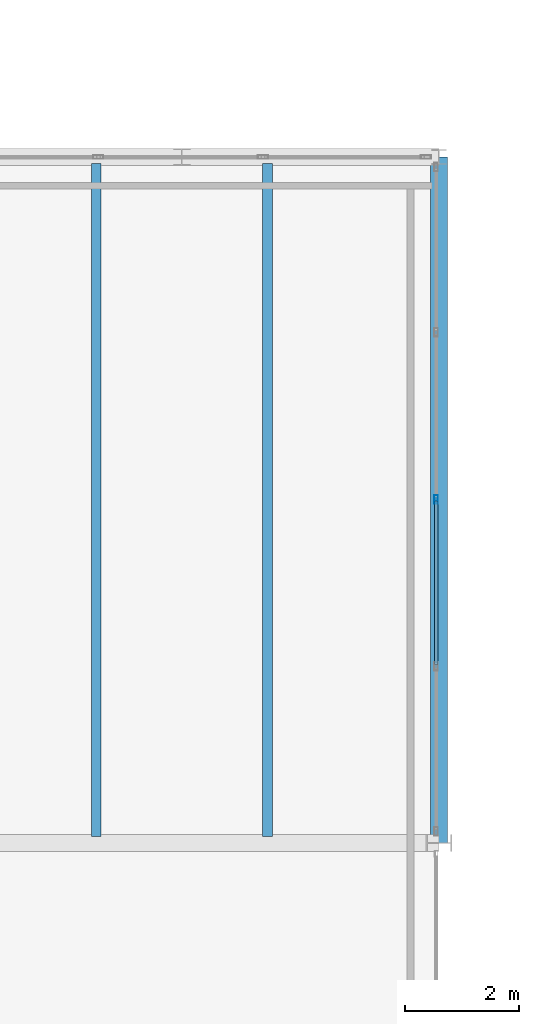
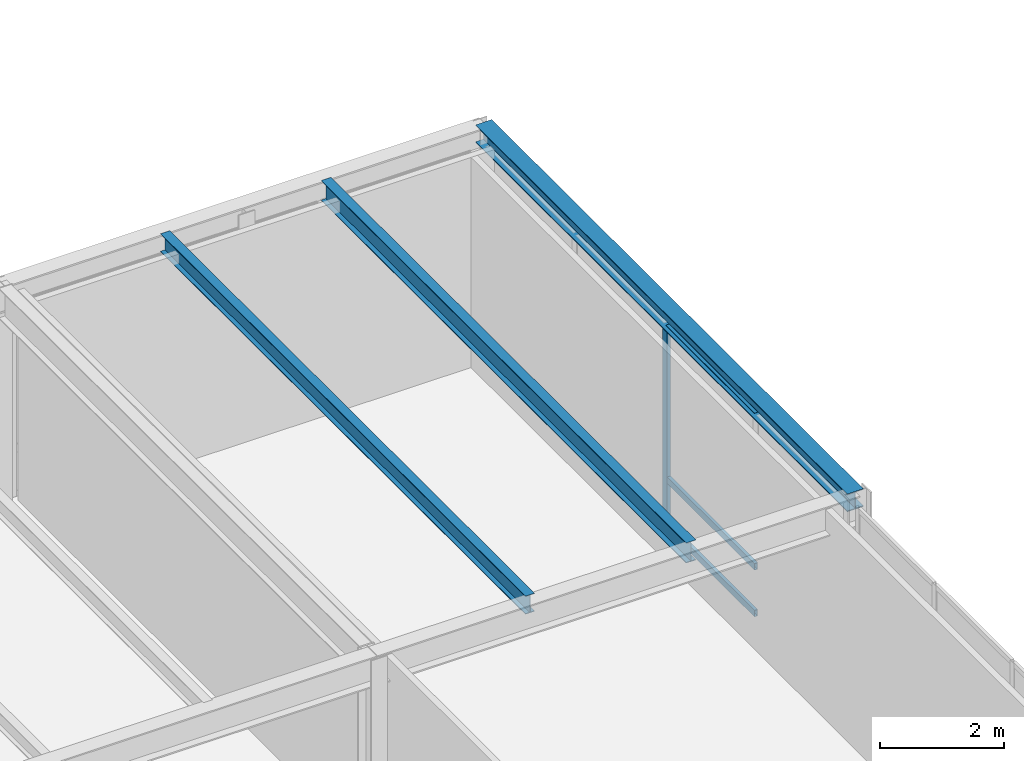
# One storey, part 71 of 115: 4 members, 3 beams, 1 element without a shape of its own.
"""IFC4 building model written with IfcOpenShell, lengths in metres."""

from ifc_helpers import new_model, si_unit, direction, frame, origin, origin_2d, place, context, subcontext, project, spatial, hollow_rectangle, i_section, extrude, material, layer, layer_set, material_profile, profile_set, type_object, element, aggregate, save


model = new_model("IFC4")

# Units and contexts
model_context = context("Model", 3, precision=1e-05, world=origin(), true_north=direction((0.0, 1.0)))
body_context = subcontext(model_context, "Body", "Model", "MODEL_VIEW")
ifc_project = project(units=[si_unit("LENGTHUNIT", "METRE"), si_unit("AREAUNIT", "SQUARE_METRE"), si_unit("VOLUMEUNIT", "CUBIC_METRE"), si_unit("PLANEANGLEUNIT", "RADIAN"), si_unit("MASSUNIT", "GRAM", prefix="KILO")], contexts=[model_context])

# Site, building, storey
site_placement = place(None, origin())
site = spatial("IfcSite", under=ifc_project, at=site_placement, CompositionType="ELEMENT")
building_placement = place(site_placement, origin())
building = spatial("IfcBuilding", under=site, at=building_placement, Name="Montelvaro Courts of Justice", CompositionType="ELEMENT")
storey_placement = place(building_placement, frame((0.0, 0.0, 9.89990234375)))
storey = spatial("IfcBuildingStorey", under=building, at=storey_placement, Name="L02", CompositionType="ELEMENT", Elevation=9.89990234375)

# Beams
ifc_material_1 = material(Name="Steel S355", Category="steel")
ifc_material_profile_1 = material_profile(ifc_material_1, i_section(OverallWidth=0.300048828125, OverallDepth=0.35009765625, WebThickness=0.010009765625, FlangeThickness=0.017578125, at=origin_2d()), Name="HEA 360")
ifc_profile_set_1 = profile_set([ifc_material_profile_1], Name="Steel S355")
beam_type_1 = type_object("IfcBeamType", Name="Beam_HEA360", PredefinedType="USERDEFINED", material=ifc_profile_set_1)
beam_1_placement = place(storey_placement, frame((81.0, 96.0, 4.125), z_axis=(0.0, 1.0, 0.0), x_axis=(-1.0, 0.0, 0.0)))
element("IfcBeam", 1, at=beam_1_placement, inside=storey, type_object=beam_type_1, Name="Beam B-16 L02", ObjectType="GIRDER", PredefinedType="USERDEFINED", context=body_context, shape_type="SweptSolid", body=[
    extrude(i_section(OverallWidth=0.300048828125, OverallDepth=0.35009765625, WebThickness=0.010009765625, FlangeThickness=0.017578125, at=origin_2d()), origin(), (0.0, 0.0, 1.0), 12.0),
])
ifc_material_profile_2 = material_profile(ifc_material_1, i_section(OverallWidth=0.169921875, OverallDepth=0.360107421875, WebThickness=0.008056640625, FlangeThickness=0.0126953125, at=origin_2d()), Name="IPE 360")
ifc_profile_set_2 = profile_set([ifc_material_profile_2], Name="Steel S355")
beam_type_2 = type_object("IfcBeamType", Name="Beam_IPE360", PredefinedType="BEAM", material=ifc_profile_set_2)
beam_2_placement = place(storey_placement, frame((75.0, 96.110107421875, 4.1201171875), z_axis=(0.0, 1.0, 0.0), x_axis=(-1.0, 0.0, 0.0)))
element("IfcBeam", 2, at=beam_2_placement, inside=storey, type_object=beam_type_2, Name="Beam B-07 L02", PredefinedType="BEAM", context=body_context, shape_type="SweptSolid", body=[
    extrude(i_section(OverallWidth=0.169921875, OverallDepth=0.360107421875, WebThickness=0.008056640625, FlangeThickness=0.0126953125, at=origin_2d()), origin(), (0.0, 0.0, 1.0), 11.77978515625),
])
ifc_material_profile_3 = material_profile(ifc_material_1, i_section(OverallWidth=0.179931640625, OverallDepth=0.39990234375, WebThickness=0.008544921875, FlangeThickness=0.013427734375, at=origin_2d()), Name="IPE 400")
ifc_profile_set_3 = profile_set([ifc_material_profile_3], Name="Steel S355")
beam_type_3 = type_object("IfcBeamType", Name="Beam_IPE400", PredefinedType="BEAM", material=ifc_profile_set_3)
beam_3_placement = place(storey_placement, frame((78.0, 96.110107421875, 4.10009765625), z_axis=(0.0, 1.0, 0.0), x_axis=(-1.0, 0.0, 0.0)))
element("IfcBeam", 3, at=beam_3_placement, inside=storey, type_object=beam_type_3, Name="Beam B-08 L02", PredefinedType="BEAM", context=body_context, shape_type="SweptSolid", body=[
    extrude(i_section(OverallWidth=0.179931640625, OverallDepth=0.39990234375, WebThickness=0.008544921875, FlangeThickness=0.013427734375, at=origin_2d()), origin(), (0.0, 0.0, 1.0), 11.77978515625),
])

# Curtain wall, members
ifc_material_2 = material(Name="Anodised aluminium EN AW-6063", Category="aluminium")
ifc_layer = layer(ifc_material_2, 0.159912109375)
ifc_layer_set = layer_set([ifc_layer], Name="Anodised aluminium EN AW-6063")
curtain_wall_type = type_object("IfcCurtainWallType", Name="CurtainWall_24_1169x418", PredefinedType="USERDEFINED", material=ifc_layer_set)
curtain_wall_placement = place(storey_placement, origin())
curtain_wall = element("IfcCurtainWall", 4, at=curtain_wall_placement, inside=storey, type_object=curtain_wall_type, Name="Curtain Wall CW-24 (L02)", ObjectType="CURTAIN WALL", PredefinedType="USERDEFINED")
ifc_material_profile_4 = material_profile(ifc_material_2, hollow_rectangle(XDim=0.06005859375, YDim=0.14990234375, WallThickness=0.00390625, at=origin_2d()), Name="ALU-M 60x150")
ifc_profile_set_4 = profile_set([ifc_material_profile_4], Name="Anodised aluminium EN AW-6063")
member_type_1 = type_object("IfcMemberType", Name="CurtainWall_Mullion_60x150", PredefinedType="MULLION", material=ifc_profile_set_4)
member_1_placement = place(storey_placement, frame((80.949951171875, 102.010009765625, 0.0), z_axis=(0.0, 0.0, 1.0), x_axis=(-1.0, 0.0, 0.0)))
member_1 = element("IfcMember", 5, at=member_1_placement, type_object=member_type_1, Name="CW-24 mullion 3", PredefinedType="MULLION", context=body_context, shape_type="SweptSolid", body=[
    extrude(hollow_rectangle(XDim=0.06005859375, YDim=0.14990234375, WallThickness=0.00390625, at=origin_2d()), origin(), (0.0, 0.0, 1.0), 3.945068359375),
])
ifc_material_profile_5 = material_profile(ifc_material_2, hollow_rectangle(XDim=0.06005859375, YDim=0.1298828125, WallThickness=0.00390625, at=origin_2d()), Name="ALU-T 60x130")
ifc_profile_set_5 = profile_set([ifc_material_profile_5], Name="Anodised aluminium EN AW-6063")
member_type_2 = type_object("IfcMemberType", Name="CurtainWall_Transom_60x130", PredefinedType="USERDEFINED", material=ifc_profile_set_5)
member_2_placement = place(storey_placement, frame((80.949951171875, 99.117431640625, 0.030029296875), z_axis=(0.0, 1.0, 0.0), x_axis=(-1.0, 0.0, 0.0)))
member_2 = element("IfcMember", 6, at=member_2_placement, type_object=member_type_2, Name="CW-24 transom 2.1", ObjectType="TRANSOM", PredefinedType="USERDEFINED", context=body_context, shape_type="SweptSolid", body=[
    extrude(hollow_rectangle(XDim=0.06005859375, YDim=0.1298828125, WallThickness=0.00390625, at=origin_2d()), origin(), (0.0, 0.0, 1.0), 2.862548828125),
])
member_3_placement = place(storey_placement, frame((80.949951171875, 99.117431640625, 0.9501953125), z_axis=(0.0, 1.0, 0.0), x_axis=(-1.0, 0.0, 0.0)))
member_3 = element("IfcMember", 7, at=member_3_placement, type_object=member_type_2, Name="CW-24 transom 2.2", ObjectType="TRANSOM", PredefinedType="USERDEFINED", context=body_context, shape_type="SweptSolid", body=[
    extrude(hollow_rectangle(XDim=0.06005859375, YDim=0.1298828125, WallThickness=0.00390625, at=origin_2d()), origin(), (0.0, 0.0, 1.0), 2.862548828125),
])
member_4_placement = place(storey_placement, frame((80.949951171875, 99.117431640625, 3.9150390625), z_axis=(0.0, 1.0, 0.0), x_axis=(-1.0, 0.0, 0.0)))
member_4 = element("IfcMember", 8, at=member_4_placement, type_object=member_type_2, Name="CW-24 transom 2.3", ObjectType="TRANSOM", PredefinedType="USERDEFINED", context=body_context, shape_type="SweptSolid", body=[
    extrude(hollow_rectangle(XDim=0.06005859375, YDim=0.1298828125, WallThickness=0.00390625, at=origin_2d()), origin(), (0.0, 0.0, 1.0), 2.862548828125),
])
aggregate(curtain_wall, [member_1, member_2, member_3, member_4])

save(model, "model.ifc")
